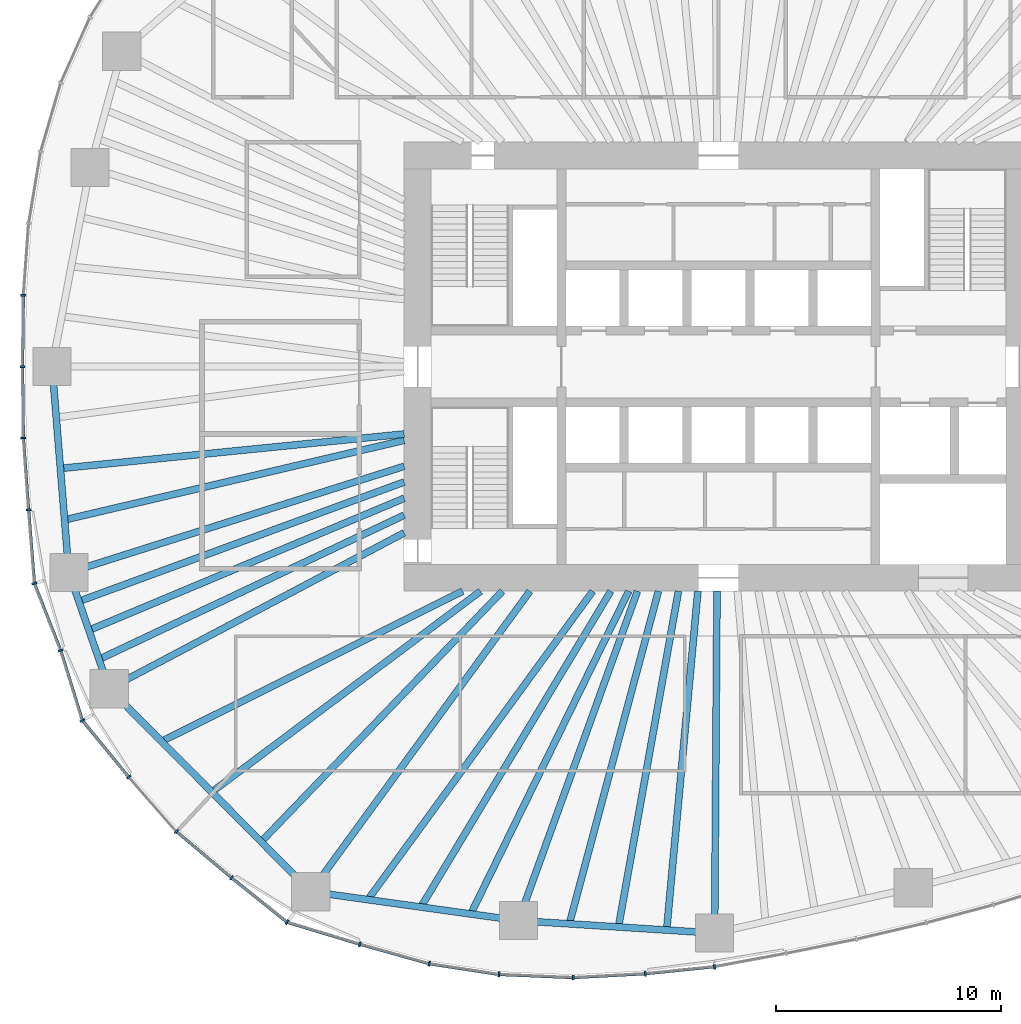
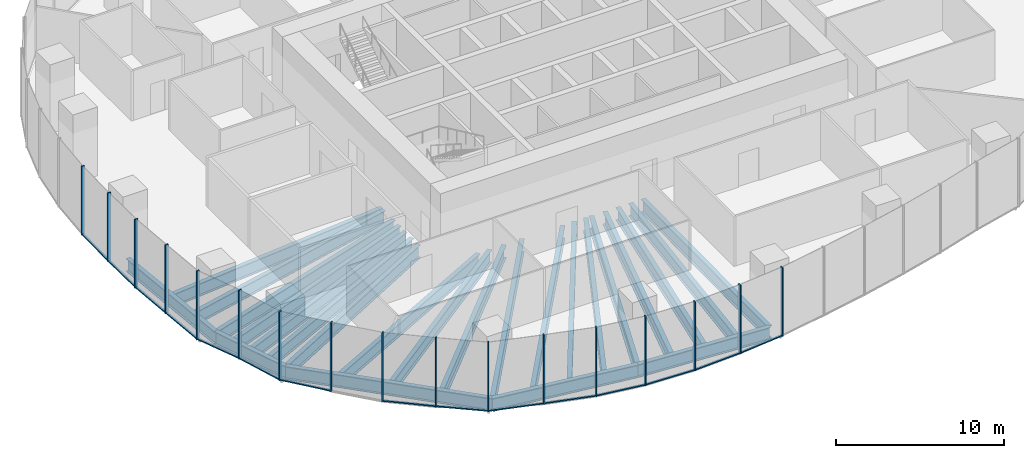
# One storey, part 2 of 20: 32 members, 24 beams, 7 elements without a shape of their own.
"""IFC4 building model written with IfcOpenShell, lengths in metres."""

from ifc_helpers import new_model, si_unit, direction, frame, origin, origin_2d, place, context, subcontext, project, spatial, rectangle, i_section, extrude, material, material_profile, profile_set, type_object, element, aggregate, save


model = new_model("IFC4")

# Units and contexts
model_context = context("Model", 3, precision=1e-05, world=origin(), true_north=direction((0.0, 1.0)))
body_context = subcontext(model_context, "Body", "Model", "MODEL_VIEW")
ifc_project = project(units=[si_unit("LENGTHUNIT", "METRE"), si_unit("AREAUNIT", "SQUARE_METRE"), si_unit("VOLUMEUNIT", "CUBIC_METRE"), si_unit("PLANEANGLEUNIT", "RADIAN"), si_unit("MASSUNIT", "GRAM", prefix="KILO")], contexts=[model_context])

# Site, building, storey
site_placement = place(None, origin())
site = spatial("IfcSite", under=ifc_project, at=site_placement, CompositionType="ELEMENT")
building_placement = place(site_placement, origin())
building = spatial("IfcBuilding", under=site, at=building_placement, Name="Ghaith Harvest Tower", CompositionType="ELEMENT")
storey_placement = place(building_placement, frame((0.0, 0.0, 80.0)))
storey = spatial("IfcBuildingStorey", under=building, at=storey_placement, Name="L16", CompositionType="ELEMENT", Elevation=80.0)

# Curtain wall, member
ifc_material_1 = material(Name="Black anodised aluminium and fritted glass", Category="aluminium")
curtain_wall_type = type_object("IfcCurtainWallType", Name="CW-F CURTAIN WALL", PredefinedType="NOTDEFINED", material=ifc_material_1)
curtain_wall_1_placement = place(storey_placement, origin())
curtain_wall_1 = element("IfcCurtainWall", 1, at=curtain_wall_1_placement, inside=storey, type_object=curtain_wall_type, Name="Curtain wall CW-F bay 10 L16", PredefinedType="NOTDEFINED")
ifc_material_2 = material(Name="Aluminium, black anodised", Category="aluminium")
ifc_material_profile_1 = material_profile(ifc_material_2, rectangle(XDim=0.080078125, YDim=0.219970703125, at=origin_2d()), Name="CW-F MULLION 80x220")
ifc_profile_set_1 = profile_set([ifc_material_profile_1], Name="Aluminium, black anodised")
member_type_1 = type_object("IfcMemberType", Name="CW-F MULLION 80x220", PredefinedType="MULLION", material=ifc_profile_set_1)
member_1_placement = place(storey_placement, frame((-30.95654296875, 3.177978515625, 0.0), z_axis=(0.0, 0.0, 1.0), x_axis=(-0.042427007767, -0.999099569118, 0.0)))
member_1 = element("IfcMember", 2, at=member_1_placement, type_object=member_type_1, Name="CW-F mullion 3 bay 10 L16", PredefinedType="MULLION", context=body_context, shape_type="SweptSolid", body=[
    extrude(rectangle(XDim=0.080078125, YDim=0.219970703125, at=origin_2d()), origin(), (0.0, 0.0, 1.0), 5.0),
])

# Curtain wall, members
curtain_wall_2_placement = place(storey_placement, origin())
curtain_wall_2 = element("IfcCurtainWall", 3, at=curtain_wall_2_placement, inside=storey, type_object=curtain_wall_type, Name="Curtain wall CW-F bay 11 L16", PredefinedType="NOTDEFINED")
member_2_placement = place(storey_placement, frame((-30.9951171875, 0.0, 0.0), z_axis=(0.0, 0.0, 1.0), x_axis=(1.4e-10, -1.0, 0.0)))
member_2 = element("IfcMember", 4, at=member_2_placement, type_object=member_type_1, Name="CW-F mullion 1 bay 11 L16", PredefinedType="MULLION", context=body_context, shape_type="SweptSolid", body=[
    extrude(rectangle(XDim=0.080078125, YDim=0.219970703125, at=origin_2d()), origin(), (0.0, 0.0, 1.0), 5.0),
])
member_3_placement = place(storey_placement, frame((-30.95654296875, -3.177978515625, 0.0), z_axis=(0.0, 0.0, 1.0), x_axis=(0.042427007872, -0.999099569114, 0.0)))
member_3 = element("IfcMember", 5, at=member_3_placement, type_object=member_type_1, Name="CW-F mullion 2 bay 11 L16", PredefinedType="MULLION", context=body_context, shape_type="SweptSolid", body=[
    extrude(rectangle(XDim=0.080078125, YDim=0.219970703125, at=origin_2d()), origin(), (0.0, 0.0, 1.0), 5.0),
])
member_4_placement = place(storey_placement, frame((-30.724365234375, -6.37548828125, 0.0), z_axis=(0.0, 0.0, 1.0), x_axis=(0.07568573288, -0.997131721408, 0.0)))
member_4 = element("IfcMember", 6, at=member_4_placement, type_object=member_type_1, Name="CW-F mullion 3 bay 11 L16", PredefinedType="MULLION", context=body_context, shape_type="SweptSolid", body=[
    extrude(rectangle(XDim=0.080078125, YDim=0.219970703125, at=origin_2d()), origin(), (0.0, 0.0, 1.0), 5.0),
])

curtain_wall_3_placement = place(storey_placement, origin())
curtain_wall_3 = element("IfcCurtainWall", 7, at=curtain_wall_3_placement, inside=storey, type_object=curtain_wall_type, Name="Curtain wall CW-F bay 12 L16", PredefinedType="NOTDEFINED")
member_5_placement = place(storey_placement, frame((-30.46484375, -9.65478515625, 0.0), z_axis=(0.0, 0.0, 1.0), x_axis=(0.222967363441, -0.974825910017, 0.0)))
member_5 = element("IfcMember", 8, at=member_5_placement, type_object=member_type_1, Name="CW-F mullion 1 bay 12 L16", PredefinedType="MULLION", context=body_context, shape_type="SweptSolid", body=[
    extrude(rectangle(XDim=0.080078125, YDim=0.219970703125, at=origin_2d()), origin(), (0.0, 0.0, 1.0), 5.0),
])
member_6_placement = place(storey_placement, frame((-29.29248046875, -12.63525390625, 0.0), z_axis=(0.0, 0.0, 1.0), x_axis=(0.330700518925, -0.943735750506, 0.0)))
member_6 = element("IfcMember", 9, at=member_6_placement, type_object=member_type_1, Name="CW-F mullion 2 bay 12 L16", PredefinedType="MULLION", context=body_context, shape_type="SweptSolid", body=[
    extrude(rectangle(XDim=0.080078125, YDim=0.219970703125, at=origin_2d()), origin(), (0.0, 0.0, 1.0), 5.0),
])
member_7_placement = place(storey_placement, frame((-28.3271484375, -15.7548828125, 0.0), z_axis=(0.0, 0.0, 1.0), x_axis=(0.473265082527, -0.880920065421, 0.0)))
member_7 = element("IfcMember", 10, at=member_7_placement, type_object=member_type_1, Name="CW-F mullion 3 bay 12 L16", PredefinedType="MULLION", context=body_context, shape_type="SweptSolid", body=[
    extrude(rectangle(XDim=0.080078125, YDim=0.219970703125, at=origin_2d()), origin(), (0.0, 0.0, 1.0), 5.0),
])

curtain_wall_4_placement = place(storey_placement, origin())
curtain_wall_4 = element("IfcCurtainWall", 11, at=curtain_wall_4_placement, inside=storey, type_object=curtain_wall_type, Name="Curtain wall CW-F bay 13 L16", PredefinedType="NOTDEFINED")
member_8_placement = place(storey_placement, frame((-26.26318359375, -18.274169921875, 0.0), z_axis=(0.0, 0.0, 1.0), x_axis=(0.646523538748, -0.762894038412, 0.0)))
member_8 = element("IfcMember", 12, at=member_8_placement, type_object=member_type_1, Name="CW-F mullion 1 bay 13 L16", PredefinedType="MULLION", context=body_context, shape_type="SweptSolid", body=[
    extrude(rectangle(XDim=0.080078125, YDim=0.219970703125, at=origin_2d()), origin(), (0.0, 0.0, 1.0), 5.0),
])
member_9_placement = place(storey_placement, frame((-24.139404296875, -20.696533203125, 0.0), z_axis=(0.0, 0.0, 1.0), x_axis=(0.714663248554, -0.699468684907, 0.0)))
member_9 = element("IfcMember", 13, at=member_9_placement, type_object=member_type_1, Name="CW-F mullion 2 bay 13 L16", PredefinedType="MULLION", context=body_context, shape_type="SweptSolid", body=[
    extrude(rectangle(XDim=0.080078125, YDim=0.219970703125, at=origin_2d()), origin(), (0.0, 0.0, 1.0), 5.0),
])
member_10_placement = place(storey_placement, frame((-21.681640625, -22.758056640625, 0.0), z_axis=(0.0, 0.0, 1.0), x_axis=(0.773138721505, -0.634236956751, 0.0)))
member_10 = element("IfcMember", 14, at=member_10_placement, type_object=member_type_1, Name="CW-F mullion 3 bay 13 L16", PredefinedType="MULLION", context=body_context, shape_type="SweptSolid", body=[
    extrude(rectangle(XDim=0.080078125, YDim=0.219970703125, at=origin_2d()), origin(), (0.0, 0.0, 1.0), 5.0),
])

curtain_wall_5_placement = place(storey_placement, origin())
curtain_wall_5 = element("IfcCurtainWall", 15, at=curtain_wall_5_placement, inside=storey, type_object=curtain_wall_type, Name="Curtain wall CW-F bay 14 L16", PredefinedType="NOTDEFINED")
member_11_placement = place(storey_placement, frame((-19.212646484375, -24.73828125, 0.0), z_axis=(0.0, 0.0, 1.0), x_axis=(0.887912253774, -0.460012858079, 0.0)))
member_11 = element("IfcMember", 16, at=member_11_placement, type_object=member_type_1, Name="CW-F mullion 1 bay 14 L16", PredefinedType="MULLION", context=body_context, shape_type="SweptSolid", body=[
    extrude(rectangle(XDim=0.080078125, YDim=0.219970703125, at=origin_2d()), origin(), (0.0, 0.0, 1.0), 5.0),
])
member_12_placement = place(storey_placement, frame((-15.97119140625, -25.716552734375, 0.0), z_axis=(0.0, 0.0, 1.0), x_axis=(0.960008876539, -0.279969564356, 0.0)))
member_12 = element("IfcMember", 17, at=member_12_placement, type_object=member_type_1, Name="CW-F mullion 2 bay 14 L16", PredefinedType="MULLION", context=body_context, shape_type="SweptSolid", body=[
    extrude(rectangle(XDim=0.080078125, YDim=0.219970703125, at=origin_2d()), origin(), (0.0, 0.0, 1.0), 5.0),
])
member_13_placement = place(storey_placement, frame((-12.880615234375, -26.5849609375, 0.0), z_axis=(0.0, 0.0, 1.0), x_axis=(0.977207016024, -0.212288595628, 0.0)))
member_13 = element("IfcMember", 18, at=member_13_placement, type_object=member_type_1, Name="CW-F mullion 3 bay 14 L16", PredefinedType="MULLION", context=body_context, shape_type="SweptSolid", body=[
    extrude(rectangle(XDim=0.080078125, YDim=0.219970703125, at=origin_2d()), origin(), (0.0, 0.0, 1.0), 5.0),
])

curtain_wall_6_placement = place(storey_placement, origin())
curtain_wall_6 = element("IfcCurtainWall", 19, at=curtain_wall_6_placement, inside=storey, type_object=curtain_wall_type, Name="Curtain wall CW-F bay 15 L16", PredefinedType="NOTDEFINED")
member_14_placement = place(storey_placement, frame((-9.7744140625, -27.062744140625, 0.0), z_axis=(0.0, 0.0, 1.0), x_axis=(0.995408459417, -0.095718331168, 0.0)))
member_14 = element("IfcMember", 20, at=member_14_placement, type_object=member_type_1, Name="CW-F mullion 1 bay 15 L16", PredefinedType="MULLION", context=body_context, shape_type="SweptSolid", body=[
    extrude(rectangle(XDim=0.080078125, YDim=0.219970703125, at=origin_2d()), origin(), (0.0, 0.0, 1.0), 5.0),
])
member_15_placement = place(storey_placement, frame((-6.465087890625, -27.20166015625, 0.0), z_axis=(0.0, 0.0, 1.0), x_axis=(0.999987206373, 0.005058368251, 0.0)))
member_15 = element("IfcMember", 21, at=member_15_placement, type_object=member_type_1, Name="CW-F mullion 2 bay 15 L16", PredefinedType="MULLION", context=body_context, shape_type="SweptSolid", body=[
    extrude(rectangle(XDim=0.080078125, YDim=0.219970703125, at=origin_2d()), origin(), (0.0, 0.0, 1.0), 5.0),
])
member_16_placement = place(storey_placement, frame((-3.261962890625, -27.02978515625, 0.0), z_axis=(0.0, 0.0, 1.0), x_axis=(0.997037536276, 0.07691652135, 0.0)))
member_16 = element("IfcMember", 22, at=member_16_placement, type_object=member_type_1, Name="CW-F mullion 3 bay 15 L16", PredefinedType="MULLION", context=body_context, shape_type="SweptSolid", body=[
    extrude(rectangle(XDim=0.080078125, YDim=0.219970703125, at=origin_2d()), origin(), (0.0, 0.0, 1.0), 5.0),
])

# Curtain wall, member
curtain_wall_7_placement = place(storey_placement, origin())
curtain_wall_7 = element("IfcCurtainWall", 23, at=curtain_wall_7_placement, inside=storey, type_object=curtain_wall_type, Name="Curtain wall CW-F bay 16 L16", PredefinedType="NOTDEFINED")
member_17_placement = place(storey_placement, frame((-0.182861328125, -26.717041015625, 0.0), z_axis=(0.0, 0.0, 1.0), x_axis=(0.98971187144, 0.143074845907, 0.0)))
member_17 = element("IfcMember", 24, at=member_17_placement, type_object=member_type_1, Name="CW-F mullion 1 bay 16 L16", PredefinedType="MULLION", context=body_context, shape_type="SweptSolid", body=[
    extrude(rectangle(XDim=0.080078125, YDim=0.219970703125, at=origin_2d()), origin(), (0.0, 0.0, 1.0), 5.0),
])
aggregate(curtain_wall_7, [member_17])

# Member
ifc_material_3 = material(Name="Aluminium, black anodised", Category="aluminium")
ifc_material_profile_2 = material_profile(ifc_material_3, rectangle(XDim=0.139892578125, YDim=0.080078125, at=origin_2d()), Name="CW-F TRANSOM 140x80")
ifc_profile_set_2 = profile_set([ifc_material_profile_2], Name="Aluminium, black anodised")
member_type_2 = type_object("IfcMemberType", Name="CW-F TRANSOM 140x80", PredefinedType="USERDEFINED", material=ifc_profile_set_2)
member_18_placement = place(storey_placement, frame((-30.95703125, 3.137939453125, 0.0400390625), z_axis=(-0.012135602457, -0.999926360865, 0.0), x_axis=(0.999926360865, -0.012135602457, 0.0)))
member_18 = element("IfcMember", 25, at=member_18_placement, type_object=member_type_2, Name="CW-F transom 3 bay 10 L16", ObjectType="TRANSOM", PredefinedType="USERDEFINED", context=body_context, shape_type="SweptSolid", body=[
    extrude(rectangle(XDim=0.139892578125, YDim=0.080078125, at=origin_2d()), origin(), (0.0, 0.0, 1.0), 3.09814453125),
])

aggregate(curtain_wall_1, [member_1, member_18])

member_19_placement = place(storey_placement, frame((-30.99462890625, -0.0400390625, 0.0400390625), z_axis=(0.012135602457, -0.999926360865, 0.0), x_axis=(0.999926360865, 0.012135602457, 0.0)))
member_19 = element("IfcMember", 26, at=member_19_placement, type_object=member_type_2, Name="CW-F transom 1 bay 11 L16", ObjectType="TRANSOM", PredefinedType="USERDEFINED", context=body_context, shape_type="SweptSolid", body=[
    extrude(rectangle(XDim=0.139892578125, YDim=0.080078125, at=origin_2d()), origin(), (0.0, 0.0, 1.0), 3.09814453125),
])

member_20_placement = place(storey_placement, frame((-30.95361328125, -3.2177734375, 0.0400390625), z_axis=(0.072473547161, -0.997370334912, 0.0), x_axis=(0.997370334912, 0.072473547161, 0.0)))
member_20 = element("IfcMember", 27, at=member_20_placement, type_object=member_type_2, Name="CW-F transom 2 bay 11 L16", ObjectType="TRANSOM", PredefinedType="USERDEFINED", context=body_context, shape_type="SweptSolid", body=[
    extrude(rectangle(XDim=0.139892578125, YDim=0.080078125, at=origin_2d()), origin(), (0.0, 0.0, 1.0), 3.126220703125),
])

member_21_placement = place(storey_placement, frame((-30.72119140625, -6.415283203125, 0.0400390625), z_axis=(0.078877539502, -0.996884313129, 0.0), x_axis=(0.996884313129, 0.078877539502, 0.0)))
member_21 = element("IfcMember", 28, at=member_21_placement, type_object=member_type_2, Name="CW-F transom 3 bay 11 L16", ObjectType="TRANSOM", PredefinedType="USERDEFINED", context=body_context, shape_type="SweptSolid", body=[
    extrude(rectangle(XDim=0.139892578125, YDim=0.080078125, at=origin_2d()), origin(), (0.0, 0.0, 1.0), 3.209716796875),
])

aggregate(curtain_wall_2, [member_2, member_19, member_3, member_20, member_4, member_21])

member_22_placement = place(storey_placement, frame((-30.4501953125, -9.692138671875, 0.0400390625), z_axis=(0.366046617161, -0.93059651518, 0.0), x_axis=(0.93059651518, 0.366046617161, 0.0)))
member_22 = element("IfcMember", 29, at=member_22_placement, type_object=member_type_2, Name="CW-F transom 1 bay 12 L16", ObjectType="TRANSOM", PredefinedType="USERDEFINED", context=body_context, shape_type="SweptSolid", body=[
    extrude(rectangle(XDim=0.139892578125, YDim=0.080078125, at=origin_2d()), origin(), (0.0, 0.0, 1.0), 3.122802734375),
])

member_23_placement = place(storey_placement, frame((-29.28076171875, -12.673583984375, 0.0400390625), z_axis=(0.295598800908, -0.955312173534, 0.0), x_axis=(0.955312173534, 0.295598800908, 0.0)))
member_23 = element("IfcMember", 30, at=member_23_placement, type_object=member_type_2, Name="CW-F transom 2 bay 12 L16", ObjectType="TRANSOM", PredefinedType="USERDEFINED", context=body_context, shape_type="SweptSolid", body=[
    extrude(rectangle(XDim=0.139892578125, YDim=0.080078125, at=origin_2d()), origin(), (0.0, 0.0, 1.0), 3.185546875),
])

member_24_placement = place(storey_placement, frame((-28.302001953125, -15.785888671875, 0.0400390625), z_axis=(0.633790042943, -0.773505126982, 0.0), x_axis=(0.773505126982, 0.633790042943, 0.0)))
member_24 = element("IfcMember", 31, at=member_24_placement, type_object=member_type_2, Name="CW-F transom 3 bay 12 L16", ObjectType="TRANSOM", PredefinedType="USERDEFINED", context=body_context, shape_type="SweptSolid", body=[
    extrude(rectangle(XDim=0.139892578125, YDim=0.080078125, at=origin_2d()), origin(), (0.0, 0.0, 1.0), 3.1767578125),
])

aggregate(curtain_wall_3, [member_5, member_22, member_6, member_23, member_7, member_24])

member_25_placement = place(storey_placement, frame((-24.10888671875, -20.72216796875, 0.0400390625), z_axis=(0.766144434184, -0.642668426149, 0.0), x_axis=(0.642668426149, 0.766144434184, 0.0)))
member_25 = element("IfcMember", 32, at=member_25_placement, type_object=member_type_2, Name="CW-F transom 2 bay 13 L16", ObjectType="TRANSOM", PredefinedType="USERDEFINED", context=body_context, shape_type="SweptSolid", body=[
    extrude(rectangle(XDim=0.139892578125, YDim=0.080078125, at=origin_2d()), origin(), (0.0, 0.0, 1.0), 3.1279296875),
])

member_26_placement = place(storey_placement, frame((-21.650634765625, -22.783203125, 0.0400390625), z_axis=(0.780181223133, -0.625553562112, 0.0), x_axis=(0.625553562112, 0.780181223133, 0.0)))
member_26 = element("IfcMember", 33, at=member_26_placement, type_object=member_type_2, Name="CW-F transom 3 bay 13 L16", ObjectType="TRANSOM", PredefinedType="USERDEFINED", context=body_context, shape_type="SweptSolid", body=[
    extrude(rectangle(XDim=0.139892578125, YDim=0.080078125, at=origin_2d()), origin(), (0.0, 0.0, 1.0), 3.085205078125),
])

aggregate(curtain_wall_4, [member_8, member_9, member_25, member_10, member_26])

member_27_placement = place(storey_placement, frame((-19.17431640625, -24.749755859375, 0.0400390625), z_axis=(0.957335035376, -0.288980328121, 0.0), x_axis=(0.288980328121, 0.957335035376, 0.0)))
member_27 = element("IfcMember", 34, at=member_27_placement, type_object=member_type_2, Name="CW-F transom 1 bay 14 L16", ObjectType="TRANSOM", PredefinedType="USERDEFINED", context=body_context, shape_type="SweptSolid", body=[
    extrude(rectangle(XDim=0.139892578125, YDim=0.080078125, at=origin_2d()), origin(), (0.0, 0.0, 1.0), 3.305908203125),
])

member_28_placement = place(storey_placement, frame((-15.9326171875, -25.727294921875, 0.0400390625), z_axis=(0.962727128991, -0.270474536888, 0.0), x_axis=(0.270474536888, 0.962727128991, 0.0)))
member_28 = element("IfcMember", 35, at=member_28_placement, type_object=member_type_2, Name="CW-F transom 2 bay 14 L16", ObjectType="TRANSOM", PredefinedType="USERDEFINED", context=body_context, shape_type="SweptSolid", body=[
    extrude(rectangle(XDim=0.139892578125, YDim=0.080078125, at=origin_2d()), origin(), (0.0, 0.0, 1.0), 3.13037109375),
])

member_29_placement = place(storey_placement, frame((-12.841064453125, -26.591064453125, 0.0400390625), z_axis=(0.988378147633, -0.152015253451, 0.0), x_axis=(0.152015253451, 0.988378147633, 0.0)))
member_29 = element("IfcMember", 36, at=member_29_placement, type_object=member_type_2, Name="CW-F transom 3 bay 14 L16", ObjectType="TRANSOM", PredefinedType="USERDEFINED", context=body_context, shape_type="SweptSolid", body=[
    extrude(rectangle(XDim=0.139892578125, YDim=0.080078125, at=origin_2d()), origin(), (0.0, 0.0, 1.0), 3.062744140625),
])

aggregate(curtain_wall_5, [member_11, member_27, member_12, member_28, member_13, member_29])

member_30_placement = place(storey_placement, frame((-9.734375, -27.064453125, 0.0400390625), z_axis=(0.999117688764, -0.04199814281, 0.0), x_axis=(0.04199814281, 0.999117688764, 0.0)))
member_30 = element("IfcMember", 37, at=member_30_placement, type_object=member_type_2, Name="CW-F transom 1 bay 15 L16", ObjectType="TRANSOM", PredefinedType="USERDEFINED", context=body_context, shape_type="SweptSolid", body=[
    extrude(rectangle(XDim=0.139892578125, YDim=0.080078125, at=origin_2d()), origin(), (0.0, 0.0, 1.0), 3.232177734375),
])

member_31_placement = place(storey_placement, frame((-6.42529296875, -27.19970703125, 0.0400390625), z_axis=(0.99856142387, 0.053619798202, 0.0), x_axis=(-0.053619798202, 0.99856142387, 0.0)))
member_31 = element("IfcMember", 38, at=member_31_placement, type_object=member_type_2, Name="CW-F transom 2 bay 15 L16", ObjectType="TRANSOM", PredefinedType="USERDEFINED", context=body_context, shape_type="SweptSolid", body=[
    extrude(rectangle(XDim=0.139892578125, YDim=0.080078125, at=origin_2d()), origin(), (0.0, 0.0, 1.0), 3.1279296875),
])

member_32_placement = place(storey_placement, frame((-3.22216796875, -27.02587890625, 0.0400390625), z_axis=(0.994880435036, 0.101058992587, 0.0), x_axis=(-0.101058992587, 0.994880435036, 0.0)))
member_32 = element("IfcMember", 39, at=member_32_placement, type_object=member_type_2, Name="CW-F transom 3 bay 15 L16", ObjectType="TRANSOM", PredefinedType="USERDEFINED", context=body_context, shape_type="SweptSolid", body=[
    extrude(rectangle(XDim=0.139892578125, YDim=0.080078125, at=origin_2d()), origin(), (0.0, 0.0, 1.0), 3.014892578125),
])

aggregate(curtain_wall_6, [member_14, member_30, member_15, member_31, member_16, member_32])

# Beams
ifc_material_4 = material(Name="Steel ASTM A992 Grade 50", Category="steel")
ifc_material_profile_3 = material_profile(ifc_material_4, i_section(OverallWidth=0.306884765625, OverallDepth=0.94189453125, WebThickness=0.022216796875, FlangeThickness=0.039794921875, at=origin_2d()), Name="W920X345")
ifc_profile_set_3 = profile_set([ifc_material_profile_3], Name="Steel ASTM A992 Grade 50")
beam_type_1 = type_object("IfcBeamType", Name="E920-345 W920X345", PredefinedType="SPANDREL", material=ifc_profile_set_3)
beam_1_placement = place(storey_placement, frame((-29.675048828125, 0.0, -0.6708984375), z_axis=(0.081006863421, -0.996713543642, 0.0), x_axis=(0.996713543642, 0.081006863421, 0.0)))
element("IfcBeam", 40, at=beam_1_placement, inside=storey, type_object=beam_type_1, Name="Edge beam E11 L16", PredefinedType="SPANDREL", context=body_context, shape_type="SweptSolid", body=[
    extrude(i_section(OverallWidth=0.306884765625, OverallDepth=0.94189453125, WebThickness=0.022216796875, FlangeThickness=0.039794921875, at=origin_2d()), origin(), (0.0, 0.0, 1.0), 9.1982421875),
])
beam_2_placement = place(storey_placement, frame((-28.929931640625, -9.16796875, -0.6708984375), z_axis=(0.328278550319, -0.944580961803, 0.0), x_axis=(0.944580961803, 0.328278550319, 0.0)))
element("IfcBeam", 41, at=beam_2_placement, inside=storey, type_object=beam_type_1, Name="Edge beam E12 L16", PredefinedType="SPANDREL", context=body_context, shape_type="SweptSolid", body=[
    extrude(i_section(OverallWidth=0.306884765625, OverallDepth=0.94189453125, WebThickness=0.022216796875, FlangeThickness=0.039794921875, at=origin_2d()), origin(), (0.0, 0.0, 1.0), 5.4765625),
])
beam_3_placement = place(storey_placement, frame((-27.132080078125, -14.341064453125, -0.6708984375), z_axis=(0.704562513714, -0.709641926798, 0.0), x_axis=(0.709641926798, 0.704562513714, 0.0)))
element("IfcBeam", 42, at=beam_3_placement, inside=storey, type_object=beam_type_1, Name="Edge beam E13 L16", PredefinedType="SPANDREL", context=body_context, shape_type="SweptSolid", body=[
    extrude(i_section(OverallWidth=0.306884765625, OverallDepth=0.94189453125, WebThickness=0.022216796875, FlangeThickness=0.039794921875, at=origin_2d()), origin(), (0.0, 0.0, 1.0), 12.737060546875),
])
beam_4_placement = place(storey_placement, frame((-18.157958984375, -23.3798828125, -0.6708984375), z_axis=(0.990441143901, -0.137936001352, 0.0), x_axis=(0.137936001352, 0.990441143901, 0.0)))
element("IfcBeam", 43, at=beam_4_placement, inside=storey, type_object=beam_type_1, Name="Edge beam E14 L16", PredefinedType="SPANDREL", context=body_context, shape_type="SweptSolid", body=[
    extrude(i_section(OverallWidth=0.306884765625, OverallDepth=0.94189453125, WebThickness=0.022216796875, FlangeThickness=0.039794921875, at=origin_2d()), origin(), (0.0, 0.0, 1.0), 9.33837890625),
])
beam_5_placement = place(storey_placement, frame((-8.908935546875, -24.66796875, -0.6708984375), z_axis=(0.99797963184, -0.063534671101, 0.0), x_axis=(0.063534671101, 0.99797963184, 0.0)))
element("IfcBeam", 44, at=beam_5_placement, inside=storey, type_object=beam_type_1, Name="Edge beam E15 L16", PredefinedType="SPANDREL", context=body_context, shape_type="SweptSolid", body=[
    extrude(i_section(OverallWidth=0.306884765625, OverallDepth=0.94189453125, WebThickness=0.022216796875, FlangeThickness=0.039794921875, at=origin_2d()), origin(), (0.0, 0.0, 1.0), 8.75341796875),
])
ifc_material_5 = material(Name="Steel ASTM A992 Grade 50", Category="steel")
ifc_material_profile_4 = material_profile(ifc_material_5, i_section(OverallWidth=0.306884765625, OverallDepth=0.94189453125, WebThickness=0.022216796875, FlangeThickness=0.039794921875, at=origin_2d()), Name="W920X345")
ifc_profile_set_4 = profile_set([ifc_material_profile_4], Name="Steel ASTM A992 Grade 50")
beam_type_2 = type_object("IfcBeamType", Name="G920-345 W920X345", PredefinedType="BEAM", material=ifc_profile_set_4)
beam_6_placement = place(storey_placement, frame((-14.0, -4.43701171875, -0.6708984375), z_axis=(-0.953284407194, -0.302074227636, 0.0), x_axis=(0.302074227636, -0.953284407194, 0.0)))
element("IfcBeam", 45, at=beam_6_placement, inside=storey, type_object=beam_type_2, Name="Radial girder G12 L16", PredefinedType="BEAM", context=body_context, shape_type="SweptSolid", body=[
    extrude(i_section(OverallWidth=0.306884765625, OverallDepth=0.94189453125, WebThickness=0.022216796875, FlangeThickness=0.039794921875, at=origin_2d()), origin(), (0.0, 0.0, 1.0), 15.66162109375),
])
beam_7_placement = place(storey_placement, frame((-14.0, -7.39990234375, -0.6708984375), z_axis=(-0.884097171481, -0.467303104397, 0.0), x_axis=(0.467303104397, -0.884097171481, 0.0)))
element("IfcBeam", 46, at=beam_7_placement, inside=storey, type_object=beam_type_2, Name="Radial girder G13 L16", PredefinedType="BEAM", context=body_context, shape_type="SweptSolid", body=[
    extrude(i_section(OverallWidth=0.306884765625, OverallDepth=0.94189453125, WebThickness=0.022216796875, FlangeThickness=0.039794921875, at=origin_2d()), origin(), (0.0, 0.0, 1.0), 14.853759765625),
])
beam_8_placement = place(storey_placement, frame((-8.39990234375, -10.0, -0.6708984375), z_axis=(-0.589246749374, -0.807953134997, 0.0), x_axis=(0.807953134997, -0.589246749374, 0.0)))
element("IfcBeam", 47, at=beam_8_placement, inside=storey, type_object=beam_type_2, Name="Radial girder G14 L16", PredefinedType="BEAM", context=body_context, shape_type="SweptSolid", body=[
    extrude(i_section(OverallWidth=0.306884765625, OverallDepth=0.94189453125, WebThickness=0.022216796875, FlangeThickness=0.039794921875, at=origin_2d()), origin(), (0.0, 0.0, 1.0), 16.560302734375),
])
beam_9_placement = place(storey_placement, frame((-3.61181640625, -10.0, -0.6708984375), z_axis=(-0.339664467784, -0.940546675782, 0.0), x_axis=(0.940546675782, -0.339664467784, 0.0)))
element("IfcBeam", 48, at=beam_9_placement, inside=storey, type_object=beam_type_2, Name="Radial girder G15 L16", PredefinedType="BEAM", context=body_context, shape_type="SweptSolid", body=[
    extrude(i_section(OverallWidth=0.306884765625, OverallDepth=0.94189453125, WebThickness=0.022216796875, FlangeThickness=0.039794921875, at=origin_2d()), origin(), (0.0, 0.0, 1.0), 15.59521484375),
])
beam_10_placement = place(storey_placement, frame((-0.068359375, -10.0, -0.6708984375), z_axis=(-0.006879467722, -0.999976336182, 0.0), x_axis=(0.999976336182, -0.006879467722, 0.0)))
element("IfcBeam", 49, at=beam_10_placement, inside=storey, type_object=beam_type_2, Name="Radial girder G16 L16", PredefinedType="BEAM", context=body_context, shape_type="SweptSolid", body=[
    extrude(i_section(OverallWidth=0.306884765625, OverallDepth=0.94189453125, WebThickness=0.022216796875, FlangeThickness=0.039794921875, at=origin_2d()), origin(), (0.0, 0.0, 1.0), 15.224365234375),
])
ifc_material_6 = material(Name="Steel ASTM A992 Grade 50", Category="steel")
ifc_material_profile_5 = material_profile(ifc_material_6, i_section(OverallWidth=0.31005859375, OverallDepth=0.927001953125, WebThickness=0.019287109375, FlangeThickness=0.031982421875, at=origin_2d()), Name="W920X289")
ifc_profile_set_5 = profile_set([ifc_material_profile_5], Name="Steel ASTM A992 Grade 50")
beam_type_3 = type_object("IfcBeamType", Name="J920-289 W920X289", PredefinedType="JOIST", material=ifc_profile_set_5)
beam_11_placement = place(storey_placement, frame((-14.0, -3.0, -0.66357421875), z_axis=(-0.995023982133, -0.099635711366, 0.0), x_axis=(0.099635711366, -0.995023982133, 0.0)))
element("IfcBeam", 50, at=beam_11_placement, inside=storey, type_object=beam_type_3, Name="Joist J11.2 L16", PredefinedType="JOIST", context=body_context, shape_type="SweptSolid", body=[
    extrude(i_section(OverallWidth=0.31005859375, OverallDepth=0.927001953125, WebThickness=0.019287109375, FlangeThickness=0.031982421875, at=origin_2d()), origin(), (0.0, 0.0, 1.0), 15.38330078125),
])
beam_12_placement = place(storey_placement, frame((-14.0, -3.280517578125, -0.66357421875), z_axis=(-0.973622531394, -0.228164778969, 0.0), x_axis=(0.228164778969, -0.973622531394, 0.0)))
element("IfcBeam", 51, at=beam_12_placement, inside=storey, type_object=beam_type_3, Name="Joist J11.3 L16", PredefinedType="JOIST", context=body_context, shape_type="SweptSolid", body=[
    extrude(i_section(OverallWidth=0.31005859375, OverallDepth=0.927001953125, WebThickness=0.019287109375, FlangeThickness=0.031982421875, at=origin_2d()), origin(), (0.0, 0.0, 1.0), 15.5302734375),
])
beam_13_placement = place(storey_placement, frame((-14.0, -5.137939453125, -0.66357421875), z_axis=(-0.938772784742, -0.344536875569, 0.0), x_axis=(0.344536875569, -0.938772784742, 0.0)))
element("IfcBeam", 52, at=beam_13_placement, inside=storey, type_object=beam_type_3, Name="Joist J12.1 L16", PredefinedType="JOIST", context=body_context, shape_type="SweptSolid", body=[
    extrude(i_section(OverallWidth=0.31005859375, OverallDepth=0.927001953125, WebThickness=0.019287109375, FlangeThickness=0.031982421875, at=origin_2d()), origin(), (0.0, 0.0, 1.0), 15.427734375),
])
beam_14_placement = place(storey_placement, frame((-14.0, -5.862548828125, -0.66357421875), z_axis=(-0.922389547545, -0.386260951404, 0.0), x_axis=(0.386260951404, -0.922389547545, 0.0)))
element("IfcBeam", 53, at=beam_14_placement, inside=storey, type_object=beam_type_3, Name="Joist J12.2 L16", PredefinedType="JOIST", context=body_context, shape_type="SweptSolid", body=[
    extrude(i_section(OverallWidth=0.31005859375, OverallDepth=0.927001953125, WebThickness=0.019287109375, FlangeThickness=0.031982421875, at=origin_2d()), origin(), (0.0, 0.0, 1.0), 15.216796875),
])
beam_15_placement = place(storey_placement, frame((-14.0, -6.614990234375, -0.66357421875), z_axis=(-0.904152605228, -0.427209628239, 0.0), x_axis=(0.427209628239, -0.904152605228, 0.0)))
element("IfcBeam", 54, at=beam_15_placement, inside=storey, type_object=beam_type_3, Name="Joist J12.3 L16", PredefinedType="JOIST", context=body_context, shape_type="SweptSolid", body=[
    extrude(i_section(OverallWidth=0.31005859375, OverallDepth=0.927001953125, WebThickness=0.019287109375, FlangeThickness=0.031982421875, at=origin_2d()), origin(), (0.0, 0.0, 1.0), 15.0263671875),
])
beam_16_placement = place(storey_placement, frame((-11.39990234375, -10.0, -0.66357421875), z_axis=(-0.894746445211, -0.446574516495, 0.0), x_axis=(0.446574516495, -0.894746445211, 0.0)))
element("IfcBeam", 55, at=beam_16_placement, inside=storey, type_object=beam_type_3, Name="Joist J13.1 L16", PredefinedType="JOIST", context=body_context, shape_type="SweptSolid", body=[
    extrude(i_section(OverallWidth=0.31005859375, OverallDepth=0.927001953125, WebThickness=0.019287109375, FlangeThickness=0.031982421875, at=origin_2d()), origin(), (0.0, 0.0, 1.0), 14.977783203125),
])
beam_17_placement = place(storey_placement, frame((-10.60009765625, -10.0, -0.66357421875), z_axis=(-0.800995319048, -0.598670609653, 0.0), x_axis=(0.598670609653, -0.800995319048, 0.0)))
element("IfcBeam", 56, at=beam_17_placement, inside=storey, type_object=beam_type_3, Name="Joist J13.2 L16", PredefinedType="JOIST", context=body_context, shape_type="SweptSolid", body=[
    extrude(i_section(OverallWidth=0.31005859375, OverallDepth=0.927001953125, WebThickness=0.019287109375, FlangeThickness=0.031982421875, at=origin_2d()), origin(), (0.0, 0.0, 1.0), 14.936279296875),
])
beam_18_placement = place(storey_placement, frame((-1.785888671875, -10.0, -0.66357421875), z_axis=(-0.175792307544, -0.984427277461, 0.0), x_axis=(0.984427277461, -0.175792307544, 0.0)))
element("IfcBeam", 57, at=beam_18_placement, inside=storey, type_object=beam_type_3, Name="Joist J15.2 L16", PredefinedType="JOIST", context=body_context, shape_type="SweptSolid", body=[
    extrude(i_section(OverallWidth=0.31005859375, OverallDepth=0.927001953125, WebThickness=0.019287109375, FlangeThickness=0.031982421875, at=origin_2d()), origin(), (0.0, 0.0, 1.0), 15.18798828125),
])
beam_19_placement = place(storey_placement, frame((-0.92041015625, -10.0, -0.66357421875), z_axis=(-0.091651457116, -0.995791147987, 0.0), x_axis=(0.995791147987, -0.091651457116, 0.0)))
element("IfcBeam", 58, at=beam_19_placement, inside=storey, type_object=beam_type_3, Name="Joist J15.3 L16", PredefinedType="JOIST", context=body_context, shape_type="SweptSolid", body=[
    extrude(i_section(OverallWidth=0.31005859375, OverallDepth=0.927001953125, WebThickness=0.019287109375, FlangeThickness=0.031982421875, at=origin_2d()), origin(), (0.0, 0.0, 1.0), 15.151611328125),
])
ifc_material_7 = material(Name="Steel ASTM A992 Grade 50", Category="steel")
ifc_material_profile_6 = material_profile(ifc_material_7, i_section(OverallWidth=0.306884765625, OverallDepth=0.94189453125, WebThickness=0.022216796875, FlangeThickness=0.039794921875, at=origin_2d()), Name="W920X345")
ifc_profile_set_6 = profile_set([ifc_material_profile_6], Name="Steel ASTM A992 Grade 50")
beam_type_4 = type_object("IfcBeamType", Name="J920-345 W920X345", PredefinedType="JOIST", material=ifc_profile_set_6)
beam_20_placement = place(storey_placement, frame((-9.626708984375, -10.0, -0.6708984375), z_axis=(-0.69353836378, -0.720419695709, 0.0), x_axis=(0.720419695709, -0.69353836378, 0.0)))
element("IfcBeam", 59, at=beam_20_placement, inside=storey, type_object=beam_type_4, Name="Joist J13.3 L16", PredefinedType="JOIST", context=body_context, shape_type="SweptSolid", body=[
    extrude(i_section(OverallWidth=0.306884765625, OverallDepth=0.94189453125, WebThickness=0.022216796875, FlangeThickness=0.039794921875, at=origin_2d()), origin(), (0.0, 0.0, 1.0), 15.485107421875),
])
beam_21_placement = place(storey_placement, frame((-5.60009765625, -10.0, -0.6708984375), z_axis=(-0.589160240072, -0.808016219836, 0.0), x_axis=(0.808016219836, -0.589160240072, 0.0)))
element("IfcBeam", 60, at=beam_21_placement, inside=storey, type_object=beam_type_4, Name="Joist J14.1 L16", PredefinedType="JOIST", context=body_context, shape_type="SweptSolid", body=[
    extrude(i_section(OverallWidth=0.306884765625, OverallDepth=0.94189453125, WebThickness=0.022216796875, FlangeThickness=0.039794921875, at=origin_2d()), origin(), (0.0, 0.0, 1.0), 16.997314453125),
])
beam_22_placement = place(storey_placement, frame((-4.800048828125, -10.0, -0.6708984375), z_axis=(-0.515226384897, -0.85705412449, 0.0), x_axis=(0.85705412449, -0.515226384897, 0.0)))
element("IfcBeam", 61, at=beam_22_placement, inside=storey, type_object=beam_type_4, Name="Joist J14.2 L16", PredefinedType="JOIST", context=body_context, shape_type="SweptSolid", body=[
    extrude(i_section(OverallWidth=0.306884765625, OverallDepth=0.94189453125, WebThickness=0.022216796875, FlangeThickness=0.039794921875, at=origin_2d()), origin(), (0.0, 0.0, 1.0), 16.408447265625),
])
beam_23_placement = place(storey_placement, frame((-4.0, -10.0, -0.6708984375), z_axis=(-0.439463806704, -0.898260297797, 0.0), x_axis=(0.898260297797, -0.439463806704, 0.0)))
element("IfcBeam", 62, at=beam_23_placement, inside=storey, type_object=beam_type_4, Name="Joist J14.3 L16", PredefinedType="JOIST", context=body_context, shape_type="SweptSolid", body=[
    extrude(i_section(OverallWidth=0.306884765625, OverallDepth=0.94189453125, WebThickness=0.022216796875, FlangeThickness=0.039794921875, at=origin_2d()), origin(), (0.0, 0.0, 1.0), 16.000244140625),
])
beam_24_placement = place(storey_placement, frame((-2.677978515625, -10.0, -0.6708984375), z_axis=(-0.258693109612, -0.965959561803, 0.0), x_axis=(0.965959561803, -0.258693109612, 0.0)))
element("IfcBeam", 63, at=beam_24_placement, inside=storey, type_object=beam_type_4, Name="Joist J15.1 L16", PredefinedType="JOIST", context=body_context, shape_type="SweptSolid", body=[
    extrude(i_section(OverallWidth=0.306884765625, OverallDepth=0.94189453125, WebThickness=0.022216796875, FlangeThickness=0.039794921875, at=origin_2d()), origin(), (0.0, 0.0, 1.0), 15.333984375),
])

save(model, "model.ifc")
